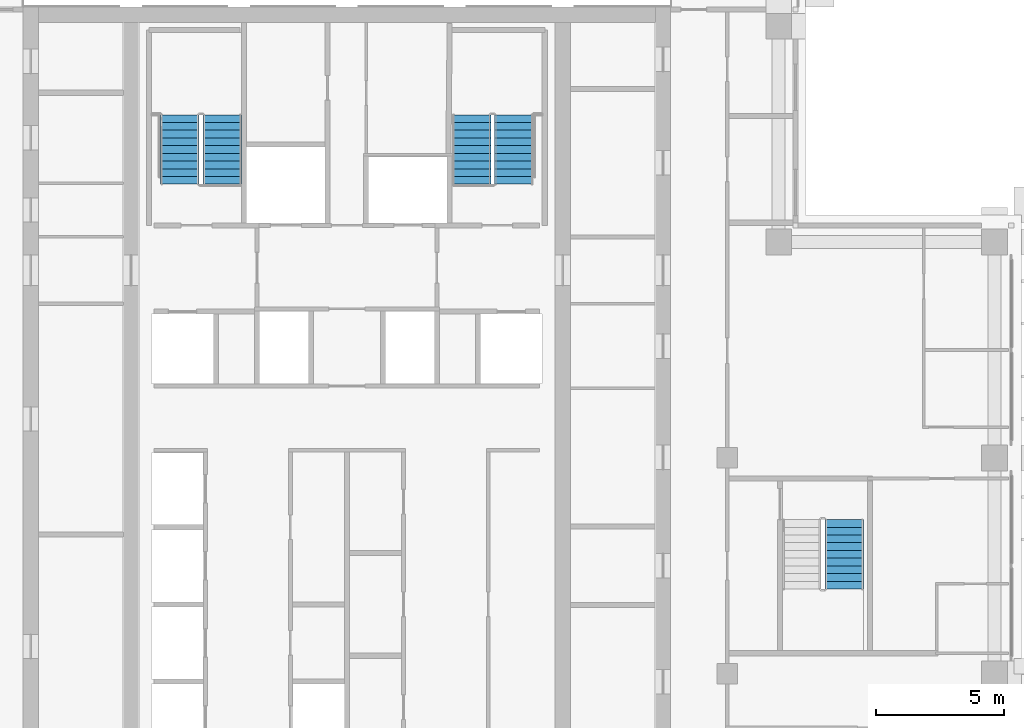
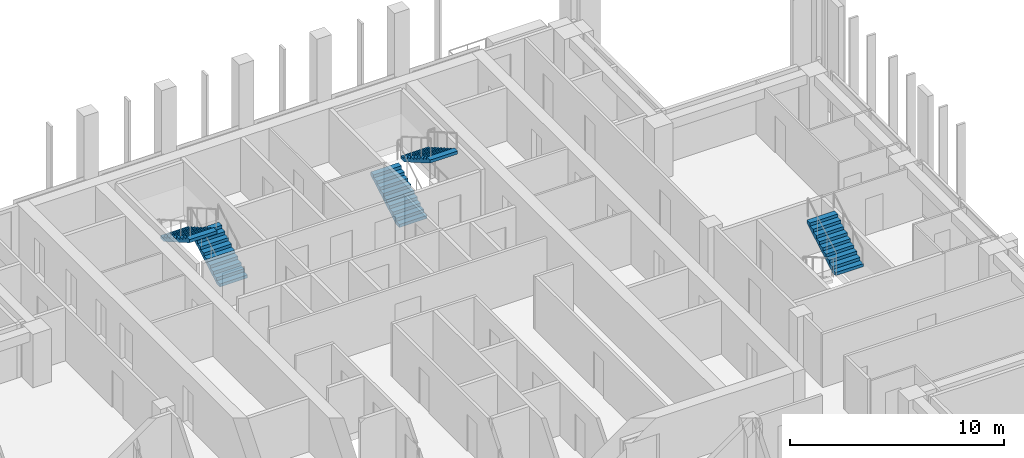
# One storey, part 14 of 18: 5 stair flights, 3 elements without a shape of their own.
"""IFC4 building model written with IfcOpenShell, lengths in metres."""

from ifc_helpers import new_model, si_unit, direction, frame, origin, place, context, subcontext, project, spatial, polyline, outline, extrude, material, type_object, element, aggregate, save


model = new_model("IFC4")

# Units and contexts
model_context = context("Model", 3, precision=1e-05, world=origin(), true_north=direction((0.0, 1.0)))
body_context = subcontext(model_context, "Body", "Model", "MODEL_VIEW")
ifc_project = project(units=[si_unit("LENGTHUNIT", "METRE"), si_unit("AREAUNIT", "SQUARE_METRE"), si_unit("VOLUMEUNIT", "CUBIC_METRE"), si_unit("PLANEANGLEUNIT", "RADIAN"), si_unit("MASSUNIT", "GRAM", prefix="KILO")], contexts=[model_context])

# Site, building, storey
site_placement = place(None, origin())
site = spatial("IfcSite", under=ifc_project, at=site_placement, CompositionType="ELEMENT")
building_placement = place(site_placement, origin())
building = spatial("IfcBuilding", under=site, at=building_placement, Name="Vermilion Ogive Tower", CompositionType="ELEMENT")
storey_placement = place(building_placement, frame((0.0, 0.0, 185.89990234375)))
storey = spatial("IfcBuildingStorey", under=building, at=storey_placement, Name="L48", CompositionType="ELEMENT", Elevation=185.89990234375)

# Stair, stair flights
ifc_material_1 = material(Name="Concrete B40", Category="concrete")
stair_type = type_object("IfcStairType", Name="Exit stair 1500", PredefinedType="HALF_TURN_STAIR", material=ifc_material_1)
stair_1_placement = place(storey_placement, origin())
stair_1 = element("IfcStair", 1, at=stair_1_placement, inside=storey, type_object=stair_type, Name="L48 Exit Stair ST1", PredefinedType="HALF_TURN_STAIR")
ifc_material_2 = material(Name="Concrete B40", Category="concrete")
stair_flight_type = type_object("IfcStairFlightType", Name="Stair flight 1500", PredefinedType="STRAIGHT", material=ifc_material_2)
stair_flight_1_placement = place(storey_placement, frame((-4.85009765625, 14.85009765625, 0.0), z_axis=(0.0, 0.0, 1.0), x_axis=(0.0, 1.0, 0.0)))
stair_flight_1 = element("IfcStairFlight", 2, at=stair_flight_1_placement, type_object=stair_flight_type, Name="ST1 flight 1", NumberOfRisers=10, NumberOfTreads=9, PredefinedType="STRAIGHT", RiserHeight=0.1725, TreadLength=0.3, context=body_context, shape_type="SweptSolid", body=[
    extrude(outline(polyline([(0.0, 0.0), (0.0, 0.172607421875), (0.300048828125, 0.172607421875), (0.300048828125, 0.344970703125), (0.60009765625, 0.344970703125), (0.60009765625, 0.517578125), (0.89990234375, 0.517578125), (0.89990234375, 0.68994140625), (1.199951171875, 0.68994140625), (1.199951171875, 0.862548828125), (1.5, 0.862548828125), (1.5, 1.034912109375), (1.800048828125, 1.034912109375), (1.800048828125, 1.20751953125), (2.10009765625, 1.20751953125), (2.10009765625, 1.3798828125), (2.39990234375, 1.3798828125), (2.39990234375, 1.552490234375), (2.699951171875, 1.552490234375), (2.699951171875, 1.72509765625), (2.699951171875, 1.379638671875), (0.30078125, 0.0), (0.0, 0.0)])), frame((0.0, 0.75, 0.0), z_axis=(0.0, -1.0, 0.0), x_axis=(1.0, 0.0, 0.0)), (0.0, 0.0, 1.0), 1.5),
])
stair_flight_2_placement = place(storey_placement, frame((-6.5, 17.550048828125, 1.72509765625), z_axis=(0.0, 0.0, 1.0), x_axis=(0.0, -1.0, 0.0)))
stair_flight_2 = element("IfcStairFlight", 3, at=stair_flight_2_placement, type_object=stair_flight_type, Name="ST1 flight 2", NumberOfRisers=10, NumberOfTreads=9, PredefinedType="STRAIGHT", RiserHeight=0.1725, TreadLength=0.3, context=body_context, shape_type="SweptSolid", body=[
    extrude(outline(polyline([(0.0, 0.0), (0.0, 0.172607421875), (0.300048828125, 0.172607421875), (0.300048828125, 0.344970703125), (0.60009765625, 0.344970703125), (0.60009765625, 0.517578125), (0.89990234375, 0.517578125), (0.89990234375, 0.68994140625), (1.199951171875, 0.68994140625), (1.199951171875, 0.862548828125), (1.5, 0.862548828125), (1.5, 1.034912109375), (1.800048828125, 1.034912109375), (1.800048828125, 1.20751953125), (2.10009765625, 1.20751953125), (2.10009765625, 1.3798828125), (2.39990234375, 1.3798828125), (2.39990234375, 1.552490234375), (2.699951171875, 1.552490234375), (2.699951171875, 1.72509765625), (2.699951171875, 1.379638671875), (0.30078125, 0.0), (0.0, 0.0)])), frame((0.0, 0.75, 0.0), z_axis=(0.0, -1.0, 0.0), x_axis=(1.0, 0.0, 0.0)), (0.0, 0.0, 1.0), 1.5),
])
aggregate(stair_1, [stair_flight_1, stair_flight_2])

stair_2_placement = place(storey_placement, origin())
stair_2 = element("IfcStair", 4, at=stair_2_placement, inside=storey, type_object=stair_type, Name="L48 Exit Stair ST2", PredefinedType="HALF_TURN_STAIR")
stair_flight_3_placement = place(storey_placement, frame((4.85009765625, 14.85009765625, 0.0), z_axis=(0.0, 0.0, 1.0), x_axis=(0.0, 1.0, 0.0)))
stair_flight_3 = element("IfcStairFlight", 5, at=stair_flight_3_placement, type_object=stair_flight_type, Name="ST2 flight 1", NumberOfRisers=10, NumberOfTreads=9, PredefinedType="STRAIGHT", RiserHeight=0.1725, TreadLength=0.3, context=body_context, shape_type="SweptSolid", body=[
    extrude(outline(polyline([(0.0, 0.0), (0.0, 0.172607421875), (0.300048828125, 0.172607421875), (0.300048828125, 0.344970703125), (0.60009765625, 0.344970703125), (0.60009765625, 0.517578125), (0.89990234375, 0.517578125), (0.89990234375, 0.68994140625), (1.199951171875, 0.68994140625), (1.199951171875, 0.862548828125), (1.5, 0.862548828125), (1.5, 1.034912109375), (1.800048828125, 1.034912109375), (1.800048828125, 1.20751953125), (2.10009765625, 1.20751953125), (2.10009765625, 1.3798828125), (2.39990234375, 1.3798828125), (2.39990234375, 1.552490234375), (2.699951171875, 1.552490234375), (2.699951171875, 1.72509765625), (2.699951171875, 1.379638671875), (0.30078125, 0.0), (0.0, 0.0)])), frame((0.0, 0.75, 0.0), z_axis=(0.0, -1.0, 0.0), x_axis=(1.0, 0.0, 0.0)), (0.0, 0.0, 1.0), 1.5),
])
stair_flight_4_placement = place(storey_placement, frame((6.5, 17.550048828125, 1.72509765625), z_axis=(0.0, 0.0, 1.0), x_axis=(0.0, -1.0, 0.0)))
stair_flight_4 = element("IfcStairFlight", 6, at=stair_flight_4_placement, type_object=stair_flight_type, Name="ST2 flight 2", NumberOfRisers=10, NumberOfTreads=9, PredefinedType="STRAIGHT", RiserHeight=0.1725, TreadLength=0.3, context=body_context, shape_type="SweptSolid", body=[
    extrude(outline(polyline([(0.0, 0.0), (0.0, 0.172607421875), (0.300048828125, 0.172607421875), (0.300048828125, 0.344970703125), (0.60009765625, 0.344970703125), (0.60009765625, 0.517578125), (0.89990234375, 0.517578125), (0.89990234375, 0.68994140625), (1.199951171875, 0.68994140625), (1.199951171875, 0.862548828125), (1.5, 0.862548828125), (1.5, 1.034912109375), (1.800048828125, 1.034912109375), (1.800048828125, 1.20751953125), (2.10009765625, 1.20751953125), (2.10009765625, 1.3798828125), (2.39990234375, 1.3798828125), (2.39990234375, 1.552490234375), (2.699951171875, 1.552490234375), (2.699951171875, 1.72509765625), (2.699951171875, 1.379638671875), (0.30078125, 0.0), (0.0, 0.0)])), frame((0.0, 0.75, 0.0), z_axis=(0.0, -1.0, 0.0), x_axis=(1.0, 0.0, 0.0)), (0.0, 0.0, 1.0), 1.5),
])
aggregate(stair_2, [stair_flight_3, stair_flight_4])

# Stair, stair flight
stair_3_placement = place(storey_placement, origin())
stair_3 = element("IfcStair", 7, at=stair_3_placement, inside=storey, type_object=stair_type, Name="L48 Exit Stair ST8", PredefinedType="HALF_TURN_STAIR")
stair_flight_5_placement = place(storey_placement, frame((19.35009765625, -0.89990234375, 1.72509765625), z_axis=(0.0, 0.0, 1.0), x_axis=(0.0, 1.0, 0.0)))
stair_flight_5 = element("IfcStairFlight", 8, at=stair_flight_5_placement, type_object=stair_flight_type, Name="ST8 flight 2", NumberOfRisers=10, NumberOfTreads=9, PredefinedType="STRAIGHT", RiserHeight=0.1725, TreadLength=0.3, context=body_context, shape_type="SweptSolid", body=[
    extrude(outline(polyline([(0.0, 0.0), (0.0, 0.172607421875), (0.300048828125, 0.172607421875), (0.300048828125, 0.344970703125), (0.60009765625, 0.344970703125), (0.60009765625, 0.517578125), (0.89990234375, 0.517578125), (0.89990234375, 0.68994140625), (1.199951171875, 0.68994140625), (1.199951171875, 0.862548828125), (1.5, 0.862548828125), (1.5, 1.034912109375), (1.800048828125, 1.034912109375), (1.800048828125, 1.20751953125), (2.10009765625, 1.20751953125), (2.10009765625, 1.3798828125), (2.39990234375, 1.3798828125), (2.39990234375, 1.552490234375), (2.699951171875, 1.552490234375), (2.699951171875, 1.72509765625), (2.699951171875, 1.379638671875), (0.30078125, 0.0), (0.0, 0.0)])), frame((0.0, 0.75, 0.0), z_axis=(0.0, -1.0, 0.0), x_axis=(1.0, 0.0, 0.0)), (0.0, 0.0, 1.0), 1.5),
])
aggregate(stair_3, [stair_flight_5])

save(model, "model.ifc")
